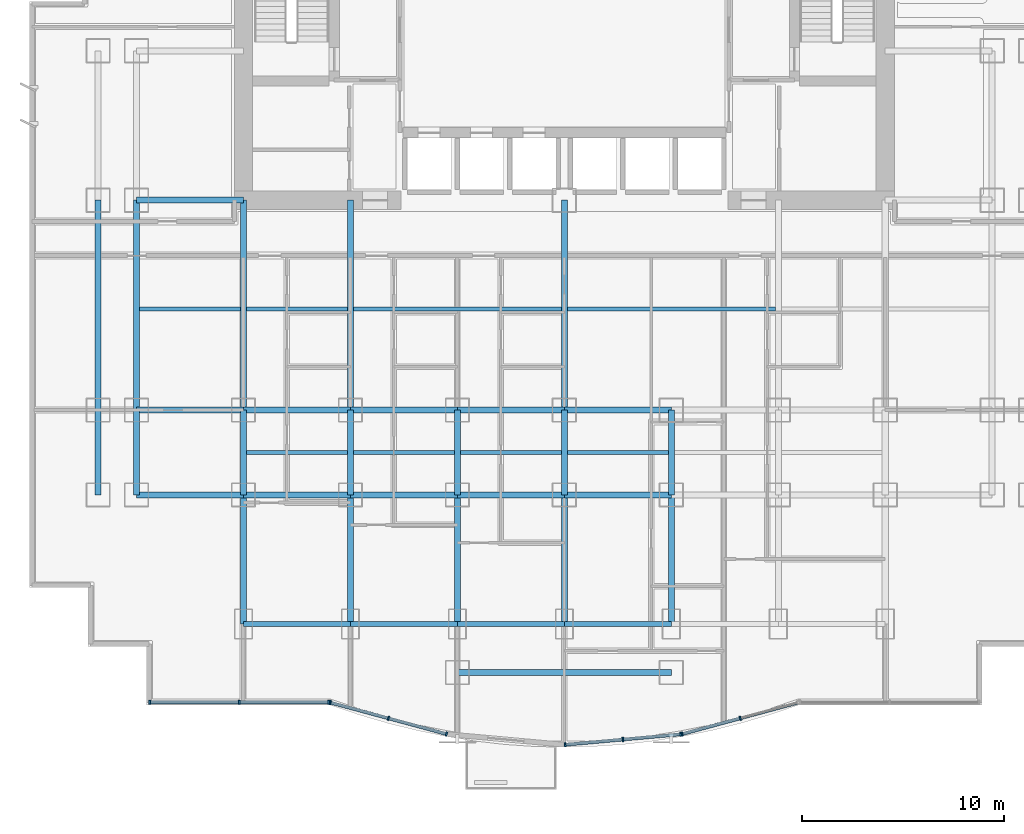
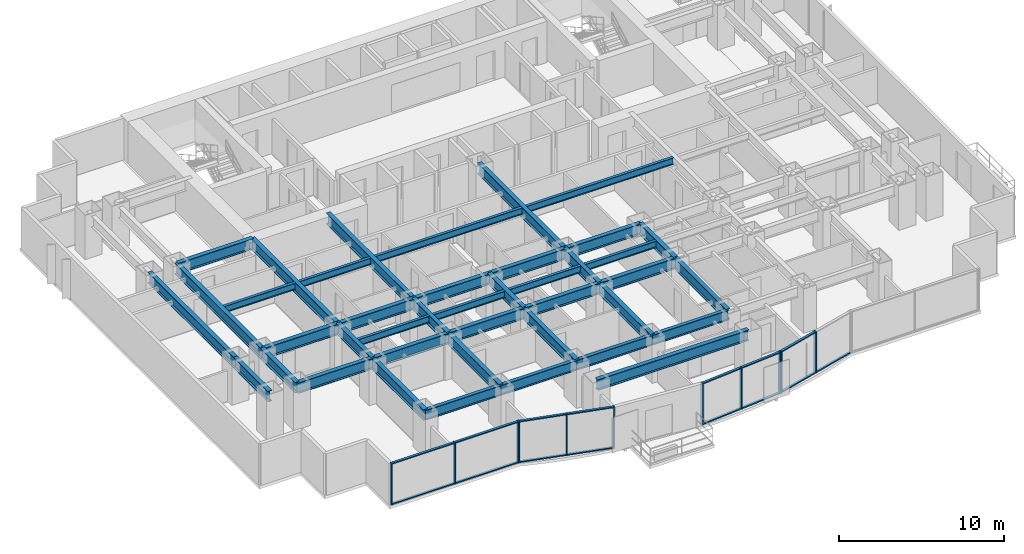
# One storey, part 2 of 10: 41 beams, 26 members, 4 elements without a shape of their own.
"""IFC4 building model written with IfcOpenShell, lengths in metres."""

import ifcopenshell
import ifcopenshell.guid

model = None  # the IFC model being written
_history = None  # IfcOwnerHistory: only IFC2X3 demands one
_inside = {}  # id of a spatial element -> (the spatial element, [elements in it])
_under = {}  # id of a project, library or spatial element -> (it, [spatial elements below it])
_declared = {}  # id of a project -> (the project, [libraries it declares])
_typed = {}  # id of a type object -> (the type object, [elements of that type])
_made_of = {}  # id of a material, layer set ... -> (it, [elements and type objects made of it])


def new_model(schema):
    """Start an empty IFC model of exactly this schema.

    Asked for "IFC4X3", IfcOpenShell would pick the latest addendum, in which some entities
    have other attributes; the version numbers below select the first issue.
    IFC2X3 requires an IfcOwnerHistory on every rooted entity: one is made here for all.
    """
    global model, _history
    if schema == "IFC4X3":
        model = ifcopenshell.file(schema_version=(4, 3, 0, 0))
    else:
        model = ifcopenshell.file(schema=schema)
    _inside.clear()
    _under.clear()
    _declared.clear()
    _typed.clear()
    _made_of.clear()
    _history = None
    if model.schema == "IFC2X3":
        org = make("IfcOrganization", Name="unknown")
        user = make(
            "IfcPersonAndOrganization",
            ThePerson=make("IfcPerson", FamilyName="unknown"),
            TheOrganization=org,
        )
        app = make(
            "IfcApplication",
            ApplicationDeveloper=org,
            Version="unknown",
            ApplicationFullName="unknown",
            ApplicationIdentifier="unknown",
        )
        _history = make(
            "IfcOwnerHistory",
            OwningUser=user,
            OwningApplication=app,
            ChangeAction="ADDED",
            CreationDate=0,
        )
    return model


def make(cls, **values):
    """One entity of the class cls with the attributes given. An attribute that is None is left unset."""
    return model.create_entity(
        cls, **{name: value for name, value in values.items() if value is not None}
    )


def rooted(cls, **values):
    """An entity with a GlobalId (a new one), such as an element, a storey or a relation."""
    return make(cls, GlobalId=ifcopenshell.guid.new(), OwnerHistory=_history, **values)


def si_unit(unit_type, name, prefix=None):
    """IfcSIUnit, for example si_unit("LENGTHUNIT", "METRE", prefix="MILLI")."""
    return make("IfcSIUnit", UnitType=unit_type, Prefix=prefix, Name=name)


def assignment(units):
    """IfcUnitAssignment: the units of a project."""
    return None if units is None else make("IfcUnitAssignment", Units=units)


def point(xyz):
    """IfcCartesianPoint."""
    return None if xyz is None else make("IfcCartesianPoint", Coordinates=xyz)


def direction(xyz):
    """IfcDirection."""
    return None if xyz is None else make("IfcDirection", DirectionRatios=xyz)


def frame(location, z_axis=None, x_axis=None):
    """IfcAxis2Placement3D, a coordinate frame: its origin and axes. An axis left out is left unset."""
    return make(
        "IfcAxis2Placement3D",
        Location=point(location),
        Axis=direction(z_axis),
        RefDirection=direction(x_axis),
    )


def frame_2d(location, x_axis=None):
    """IfcAxis2Placement2D, a coordinate frame in the plane: its origin and x axis."""
    return make(
        "IfcAxis2Placement2D", Location=point(location), RefDirection=direction(x_axis)
    )


def origin():
    """The frame at (0, 0, 0) with its axes left unset."""
    return frame((0.0, 0.0, 0.0))


def origin_2d():
    """The frame at (0, 0) in the plane with its x axis left unset."""
    return frame_2d((0.0, 0.0))


def place(relative_to, where):
    """IfcLocalPlacement: puts the frame where relative to a parent placement (None: the world)."""
    return make(
        "IfcLocalPlacement", PlacementRelTo=relative_to, RelativePlacement=where
    )


def context(
    kind, dimensions, precision=None, world=None, true_north=None, identifier=None
):
    """IfcGeometricRepresentationContext, for example the 3D "Model" context."""
    return make(
        "IfcGeometricRepresentationContext",
        ContextIdentifier=identifier,
        ContextType=kind,
        CoordinateSpaceDimension=dimensions,
        Precision=precision,
        WorldCoordinateSystem=world,
        TrueNorth=true_north,
    )


def subcontext(parent, identifier, kind, view, scale=None):
    """IfcGeometricRepresentationSubContext, for example "Body" below "Model"."""
    return make(
        "IfcGeometricRepresentationSubContext",
        ContextIdentifier=identifier,
        ContextType=kind,
        ParentContext=parent,
        TargetScale=scale,
        TargetView=view,
    )


def project(units=None, contexts=None):
    """IfcProject with its units and contexts."""
    return rooted(
        "IfcProject",
        Name="project",
        RepresentationContexts=contexts,
        UnitsInContext=assignment(units),
    )


def spatial(cls, under=None, at=None, **own):
    """A site, building, storey or space (cls), placed at a placement, below another one or the project."""
    s = rooted(cls, ObjectPlacement=at, **own)
    if under is not None:
        _under.setdefault(under.id(), (under, []))[1].append(s)
    return s


def profile(cls, at=None, kind="AREA", **sizes):
    """A parametric profile (cls). Its sizes go by their IFC names, for example OverallWidth=200.0."""
    return make(cls, ProfileType=kind, Position=at, **sizes)


def rectangle(**sizes):
    """IfcRectangleProfileDef."""
    return profile("IfcRectangleProfileDef", **sizes)


def i_section(**sizes):
    """IfcIShapeProfileDef."""
    return profile("IfcIShapeProfileDef", **sizes)


def extrude(swept, where, along, depth):
    """IfcExtrudedAreaSolid: the profile swept, set in the frame where, extruded along a direction by depth."""
    return make(
        "IfcExtrudedAreaSolid",
        SweptArea=swept,
        Position=where,
        ExtrudedDirection=direction(along),
        Depth=depth,
    )


def shape(context_of_items, identifier, shape_type, items):
    """IfcShapeRepresentation: the items that make up one representation, for example the "Body"."""
    return make(
        "IfcShapeRepresentation",
        ContextOfItems=context_of_items,
        RepresentationIdentifier=identifier,
        RepresentationType=shape_type,
        Items=items,
    )


def source(mapping_origin, context_of_items, identifier, shape_type, items):
    """IfcRepresentationMap: a shape defined once, which mapped items show again and again."""
    return make(
        "IfcRepresentationMap",
        MappingOrigin=mapping_origin,
        MappedRepresentation=shape(context_of_items, identifier, shape_type, items),
    )


def transform(
    local_origin,
    x_axis=None,
    y_axis=None,
    z_axis=None,
    scale=None,
    scale2=None,
    scale3=None,
    uniform=True,
):
    """IfcCartesianTransformationOperator3D, or its non-uniform kind. x_axis, y_axis, z_axis: its Axis1, 2, 3."""
    if uniform:
        return make(
            "IfcCartesianTransformationOperator3D",
            Axis1=direction(x_axis),
            Axis2=direction(y_axis),
            LocalOrigin=point(local_origin),
            Scale=scale,
            Axis3=direction(z_axis),
        )
    return make(
        "IfcCartesianTransformationOperator3DnonUniform",
        Axis1=direction(x_axis),
        Axis2=direction(y_axis),
        LocalOrigin=point(local_origin),
        Scale=scale,
        Axis3=direction(z_axis),
        Scale2=scale2,
        Scale3=scale3,
    )


def mapped(mapping_source, mapping_target):
    """IfcMappedItem: shows the shape of a source again, moved by a transform."""
    return make(
        "IfcMappedItem", MappingSource=mapping_source, MappingTarget=mapping_target
    )


def material(Name=None, Category=None):
    """IfcMaterial."""
    return make("IfcMaterial", Name=Name, Category=Category)


def layer(
    of_material, thickness, ventilated=None, Name=None, Category=None, Priority=None
):
    """IfcMaterialLayer: one layer of a wall or slab, of a material (None: an air gap)."""
    return make(
        "IfcMaterialLayer",
        Material=of_material,
        LayerThickness=thickness,
        IsVentilated=ventilated,
        Name=Name,
        Category=Category,
        Priority=Priority,
    )


def layer_set(layers, Name=None):
    """IfcMaterialLayerSet."""
    return make("IfcMaterialLayerSet", MaterialLayers=layers, LayerSetName=Name)


def material_profile(
    of_material, cross_section, Name=None, Category=None, Priority=None
):
    """IfcMaterialProfile: a cross section and its material."""
    return make(
        "IfcMaterialProfile",
        Name=Name,
        Material=of_material,
        Profile=cross_section,
        Priority=Priority,
        Category=Category,
    )


def profile_set(profiles, Name=None, composite=None):
    """IfcMaterialProfileSet."""
    return make(
        "IfcMaterialProfileSet",
        Name=Name,
        MaterialProfiles=profiles,
        CompositeProfile=composite,
    )


def made_of(thing, what):
    """Note that an element or type object is made of a material, layer set ...; save() writes the relation."""
    if what is not None:
        _made_of.setdefault(what.id(), (what, []))[1].append(thing)
    return thing


def type_object(cls, material=None, **own):
    """A type object (cls), such as IfcWallType, which elements share."""
    return made_of(rooted(cls, **own), material)


def element(
    cls,
    number,
    at=None,
    inside=None,
    cuts=None,
    type_object=None,
    material=None,
    context=None,
    identifier="Body",
    shape_type=None,
    held_by="IfcProductDefinitionShape",
    body=None,
    shapes=None,
    **own,
):
    """One element of the class cls, such as IfcWall. Its Tag is "e" and its number.

    at: its placement. inside: the storey or other place that contains it. cuts: it is an
    opening in that element (IfcRelVoidsElement). A single representation is given by context,
    identifier, shape_type and body (its items); several are given by shapes. held_by: the class
    of the entity that holds the representations. save() writes the other relations.
    """
    e = rooted(cls, Tag="e%d" % number, ObjectPlacement=at, **own)
    if body is not None:
        shapes = [shape(context, identifier, shape_type, body)]
    if shapes is not None:
        e.Representation = make(held_by, Representations=shapes)
    if inside is not None:
        _inside.setdefault(inside.id(), (inside, []))[1].append(e)
    if cuts is not None:
        rooted(
            "IfcRelVoidsElement", RelatingBuildingElement=cuts, RelatedOpeningElement=e
        )
    if type_object is not None:
        _typed.setdefault(type_object.id(), (type_object, []))[1].append(e)
    return made_of(e, material)


def aggregate(whole, parts):
    """IfcRelAggregates: a whole, such as a stair, and the parts it consists of."""
    return rooted("IfcRelAggregates", RelatingObject=whole, RelatedObjects=parts)


def save(model, path):
    """Write the relations noted so far, then the file.

    IfcRelAggregates (storeys below a building ...), IfcRelContainedInSpatialStructure (elements
    in a storey), IfcRelDefinesByType, IfcRelAssociatesMaterial and IfcRelDeclares: one each for
    every whole, place, type object, material and project.
    """
    for whole, parts in _under.values():
        aggregate(whole, parts)
    for where, things in _inside.values():
        rooted(
            "IfcRelContainedInSpatialStructure",
            RelatedElements=things,
            RelatingStructure=where,
        )
    for kind, things in _typed.values():
        rooted("IfcRelDefinesByType", RelatedObjects=things, RelatingType=kind)
    for what, things in _made_of.values():
        rooted("IfcRelAssociatesMaterial", RelatedObjects=things, RelatingMaterial=what)
    for by, libraries in _declared.values():
        rooted("IfcRelDeclares", RelatingContext=by, RelatedDefinitions=libraries)
    model.write(path)


model = new_model("IFC4")

# Units and contexts
model_context = context("Model", 3, precision=1e-05, world=origin(), true_north=direction((0.0, 1.0)))
body_context = subcontext(model_context, "Body", "Model", "MODEL_VIEW")
ifc_project = project(units=[si_unit("LENGTHUNIT", "METRE"), si_unit("AREAUNIT", "SQUARE_METRE"), si_unit("VOLUMEUNIT", "CUBIC_METRE"), si_unit("PLANEANGLEUNIT", "RADIAN"), si_unit("MASSUNIT", "GRAM", prefix="KILO")], contexts=[model_context])

# Site, building, storey
site_placement = place(None, origin())
site = spatial("IfcSite", under=ifc_project, at=site_placement, CompositionType="ELEMENT")
building_placement = place(site_placement, origin())
building = spatial("IfcBuilding", under=site, at=building_placement, Name="Qianlan Lanfeng Residences", CompositionType="ELEMENT")
storey_placement = place(building_placement, frame((0.0, 0.0, 34.10009765625)))
storey = spatial("IfcBuildingStorey", under=building, at=storey_placement, Name="L08", CompositionType="ELEMENT", Elevation=34.10009765625)

# Beams
ifc_material_1 = material(Name="Steel SN490B", Category="steel")
ifc_material_profile_1 = material_profile(ifc_material_1, i_section(OverallWidth=0.300048828125, OverallDepth=0.800048828125, WebThickness=0.01611328125, FlangeThickness=0.028076171875, at=origin_2d()), Name="H 800x300x16x28")
ifc_profile_set_1 = profile_set([ifc_material_profile_1], Name="Steel SN490B")
beam_type_1 = type_object("IfcBeamType", Name="G-950", PredefinedType="BEAM", material=ifc_profile_set_1)
beam_1_placement = place(storey_placement, frame((21.199951171875, 1.800048828125, 2.679931640625), z_axis=(1.0, 0.0, 0.0), x_axis=(0.0, 1.0, 0.0)))
element("IfcBeam", 1, at=beam_1_placement, inside=storey, type_object=beam_type_1, Name="Structural beam G-950", PredefinedType="BEAM", context=body_context, shape_type="SweptSolid", body=[
    extrude(i_section(OverallWidth=0.300048828125, OverallDepth=0.800048828125, WebThickness=0.01611328125, FlangeThickness=0.028076171875, at=origin_2d()), origin(), (0.0, 0.0, 1.0), 10.60009765625),
])
beam_2_placement = place(storey_placement, frame((5.300048828125, 10.60009765625, 2.679931640625), z_axis=(1.0, 0.0, 0.0), x_axis=(0.0, 1.0, 0.0)))
element("IfcBeam", 2, at=beam_2_placement, inside=storey, type_object=beam_type_1, Name="Structural beam G-950", PredefinedType="BEAM", context=body_context, shape_type="SweptSolid", body=[
    extrude(i_section(OverallWidth=0.300048828125, OverallDepth=0.800048828125, WebThickness=0.01611328125, FlangeThickness=0.028076171875, at=origin_2d()), origin(), (0.0, 0.0, 1.0), 5.300048828125),
])
beam_3_placement = place(storey_placement, frame((10.60009765625, 10.60009765625, 2.679931640625), z_axis=(1.0, 0.0, 0.0), x_axis=(0.0, 1.0, 0.0)))
element("IfcBeam", 3, at=beam_3_placement, inside=storey, type_object=beam_type_1, Name="Structural beam G-950", PredefinedType="BEAM", context=body_context, shape_type="SweptSolid", body=[
    extrude(i_section(OverallWidth=0.300048828125, OverallDepth=0.800048828125, WebThickness=0.01611328125, FlangeThickness=0.028076171875, at=origin_2d()), origin(), (0.0, 0.0, 1.0), 5.2998046875),
])
for number, where, z_axis, x_axis, name in (
    (4, (15.89990234375, 10.60009765625, 2.679931640625), (1.0, 0.0, 0.0), (0.0, 1.0, 0.0), "Structural beam G-950"),
    (5, (21.199951171875, 10.60009765625, 2.679931640625), (1.0, 0.0, 0.0), (0.0, 1.0, 0.0), "Structural beam G-950"),
    (6, (26.5, 10.60009765625, 2.679931640625), (1.0, 0.0, 0.0), (0.0, 1.0, 0.0), "Structural beam G-950"),
    (7, (5.300048828125, 14.800048828125, 2.679931640625), (1.0, 0.0, 0.0), (0.0, 1.0, 0.0), "Structural beam G-950"),
):
    element("IfcBeam", number, at=place(storey_placement, frame(where, z_axis=z_axis, x_axis=x_axis)), inside=storey, type_object=beam_type_1, Name=name, PredefinedType="BEAM", context=body_context, shape_type="SweptSolid", body=[
        extrude(i_section(OverallWidth=0.300048828125, OverallDepth=0.800048828125, WebThickness=0.01611328125, FlangeThickness=0.028076171875, at=origin_2d()), origin(), (0.0, 0.0, 1.0), 5.300048828125),
    ])
beam_4_placement = place(storey_placement, frame((10.60009765625, 14.800048828125, 2.679931640625), z_axis=(1.0, 0.0, 0.0), x_axis=(0.0, 1.0, 0.0)))
element("IfcBeam", 8, at=beam_4_placement, inside=storey, type_object=beam_type_1, Name="Structural beam G-950", PredefinedType="BEAM", context=body_context, shape_type="SweptSolid", body=[
    extrude(i_section(OverallWidth=0.300048828125, OverallDepth=0.800048828125, WebThickness=0.01611328125, FlangeThickness=0.028076171875, at=origin_2d()), origin(), (0.0, 0.0, 1.0), 5.2998046875),
])
for number, where, z_axis, x_axis, name in (
    (9, (15.89990234375, 14.800048828125, 2.679931640625), (1.0, 0.0, 0.0), (0.0, 1.0, 0.0), "Structural beam G-950"),
    (10, (21.199951171875, 14.800048828125, 2.679931640625), (1.0, 0.0, 0.0), (0.0, 1.0, 0.0), "Structural beam G-950"),
    (11, (26.5, 14.800048828125, 2.679931640625), (1.0, 0.0, 0.0), (0.0, 1.0, 0.0), "Structural beam G-950"),
    (12, (5.300048828125, 25.199951171875, 2.679931640625), (1.0, 0.0, 0.0), (0.0, 1.0, 0.0), "Structural beam G-950"),
):
    element("IfcBeam", number, at=place(storey_placement, frame(where, z_axis=z_axis, x_axis=x_axis)), inside=storey, type_object=beam_type_1, Name=name, PredefinedType="BEAM", context=body_context, shape_type="SweptSolid", body=[
        extrude(i_section(OverallWidth=0.300048828125, OverallDepth=0.800048828125, WebThickness=0.01611328125, FlangeThickness=0.028076171875, at=origin_2d()), origin(), (0.0, 0.0, 1.0), 5.300048828125),
    ])
beam_5_placement = place(storey_placement, frame((3.39990234375, 10.60009765625, 2.679931640625), z_axis=(0.0, 1.0, 0.0), x_axis=(-1.0, 0.0, 0.0)))
element("IfcBeam", 13, at=beam_5_placement, inside=storey, type_object=beam_type_1, Name="Structural beam G-950", PredefinedType="BEAM", context=body_context, shape_type="SweptSolid", body=[
    extrude(i_section(OverallWidth=0.300048828125, OverallDepth=0.800048828125, WebThickness=0.01611328125, FlangeThickness=0.028076171875, at=origin_2d()), origin(), (0.0, 0.0, 1.0), 4.199951171875),
])
beam_6_placement = place(storey_placement, frame((3.39990234375, 14.800048828125, 2.679931640625), z_axis=(0.0, 1.0, 0.0), x_axis=(-1.0, 0.0, 0.0)))
element("IfcBeam", 14, at=beam_6_placement, inside=storey, type_object=beam_type_1, Name="Structural beam G-950", PredefinedType="BEAM", context=body_context, shape_type="SweptSolid", body=[
    extrude(i_section(OverallWidth=0.300048828125, OverallDepth=0.800048828125, WebThickness=0.01611328125, FlangeThickness=0.028076171875, at=origin_2d()), origin(), (0.0, 0.0, 1.0), 10.39990234375),
])
beam_7_placement = place(storey_placement, frame((5.300048828125, 10.60009765625, 2.679931640625), z_axis=(0.0, 1.0, 0.0), x_axis=(-1.0, 0.0, 0.0)))
element("IfcBeam", 15, at=beam_7_placement, inside=storey, type_object=beam_type_1, Name="Structural beam G-950", PredefinedType="BEAM", context=body_context, shape_type="SweptSolid", body=[
    extrude(i_section(OverallWidth=0.300048828125, OverallDepth=0.800048828125, WebThickness=0.01611328125, FlangeThickness=0.028076171875, at=origin_2d()), origin(), (0.0, 0.0, 1.0), 4.199951171875),
])
beam_8_placement = place(storey_placement, frame((5.300048828125, 14.800048828125, 2.679931640625), z_axis=(0.0, 1.0, 0.0), x_axis=(-1.0, 0.0, 0.0)))
element("IfcBeam", 16, at=beam_8_placement, inside=storey, type_object=beam_type_1, Name="Structural beam G-950", PredefinedType="BEAM", context=body_context, shape_type="SweptSolid", body=[
    extrude(i_section(OverallWidth=0.300048828125, OverallDepth=0.800048828125, WebThickness=0.01611328125, FlangeThickness=0.028076171875, at=origin_2d()), origin(), (0.0, 0.0, 1.0), 10.39990234375),
])
beam_9_placement = place(storey_placement, frame((10.60009765625, 4.199951171875, 2.679931640625), z_axis=(0.0, 1.0, 0.0), x_axis=(-1.0, 0.0, 0.0)))
element("IfcBeam", 17, at=beam_9_placement, inside=storey, type_object=beam_type_1, Name="Structural beam G-950", PredefinedType="BEAM", context=body_context, shape_type="SweptSolid", body=[
    extrude(i_section(OverallWidth=0.300048828125, OverallDepth=0.800048828125, WebThickness=0.01611328125, FlangeThickness=0.028076171875, at=origin_2d()), origin(), (0.0, 0.0, 1.0), 6.400146484375),
])
beam_10_placement = place(storey_placement, frame((10.60009765625, 10.60009765625, 2.679931640625), z_axis=(0.0, 1.0, 0.0), x_axis=(-1.0, 0.0, 0.0)))
element("IfcBeam", 18, at=beam_10_placement, inside=storey, type_object=beam_type_1, Name="Structural beam G-950", PredefinedType="BEAM", context=body_context, shape_type="SweptSolid", body=[
    extrude(i_section(OverallWidth=0.300048828125, OverallDepth=0.800048828125, WebThickness=0.01611328125, FlangeThickness=0.028076171875, at=origin_2d()), origin(), (0.0, 0.0, 1.0), 4.199951171875),
])
beam_11_placement = place(storey_placement, frame((10.60009765625, 14.800048828125, 2.679931640625), z_axis=(0.0, 1.0, 0.0), x_axis=(-1.0, 0.0, 0.0)))
element("IfcBeam", 19, at=beam_11_placement, inside=storey, type_object=beam_type_1, Name="Structural beam G-950", PredefinedType="BEAM", context=body_context, shape_type="SweptSolid", body=[
    extrude(i_section(OverallWidth=0.300048828125, OverallDepth=0.800048828125, WebThickness=0.01611328125, FlangeThickness=0.028076171875, at=origin_2d()), origin(), (0.0, 0.0, 1.0), 10.39990234375),
])
beam_12_placement = place(storey_placement, frame((15.89990234375, 4.199951171875, 2.679931640625), z_axis=(0.0, 1.0, 0.0), x_axis=(-1.0, 0.0, 0.0)))
element("IfcBeam", 20, at=beam_12_placement, inside=storey, type_object=beam_type_1, Name="Structural beam G-950", PredefinedType="BEAM", context=body_context, shape_type="SweptSolid", body=[
    extrude(i_section(OverallWidth=0.300048828125, OverallDepth=0.800048828125, WebThickness=0.01611328125, FlangeThickness=0.028076171875, at=origin_2d()), origin(), (0.0, 0.0, 1.0), 6.400146484375),
])
beam_13_placement = place(storey_placement, frame((15.89990234375, 10.60009765625, 2.679931640625), z_axis=(0.0, 1.0, 0.0), x_axis=(-1.0, 0.0, 0.0)))
element("IfcBeam", 21, at=beam_13_placement, inside=storey, type_object=beam_type_1, Name="Structural beam G-950", PredefinedType="BEAM", context=body_context, shape_type="SweptSolid", body=[
    extrude(i_section(OverallWidth=0.300048828125, OverallDepth=0.800048828125, WebThickness=0.01611328125, FlangeThickness=0.028076171875, at=origin_2d()), origin(), (0.0, 0.0, 1.0), 4.199951171875),
])
beam_14_placement = place(storey_placement, frame((15.89990234375, 14.800048828125, 2.679931640625), z_axis=(0.0, 1.0, 0.0), x_axis=(-1.0, 0.0, 0.0)))
element("IfcBeam", 22, at=beam_14_placement, inside=storey, type_object=beam_type_1, Name="Structural beam G-950", PredefinedType="BEAM", context=body_context, shape_type="SweptSolid", body=[
    extrude(i_section(OverallWidth=0.300048828125, OverallDepth=0.800048828125, WebThickness=0.01611328125, FlangeThickness=0.028076171875, at=origin_2d()), origin(), (0.0, 0.0, 1.0), 10.39990234375),
])
beam_15_placement = place(storey_placement, frame((21.199951171875, 4.199951171875, 2.679931640625), z_axis=(0.0, 1.0, 0.0), x_axis=(-1.0, 0.0, 0.0)))
element("IfcBeam", 23, at=beam_15_placement, inside=storey, type_object=beam_type_1, Name="Structural beam G-950", PredefinedType="BEAM", context=body_context, shape_type="SweptSolid", body=[
    extrude(i_section(OverallWidth=0.300048828125, OverallDepth=0.800048828125, WebThickness=0.01611328125, FlangeThickness=0.028076171875, at=origin_2d()), origin(), (0.0, 0.0, 1.0), 6.400146484375),
])
beam_16_placement = place(storey_placement, frame((21.199951171875, 10.60009765625, 2.679931640625), z_axis=(0.0, 1.0, 0.0), x_axis=(-1.0, 0.0, 0.0)))
element("IfcBeam", 24, at=beam_16_placement, inside=storey, type_object=beam_type_1, Name="Structural beam G-950", PredefinedType="BEAM", context=body_context, shape_type="SweptSolid", body=[
    extrude(i_section(OverallWidth=0.300048828125, OverallDepth=0.800048828125, WebThickness=0.01611328125, FlangeThickness=0.028076171875, at=origin_2d()), origin(), (0.0, 0.0, 1.0), 4.199951171875),
])
beam_17_placement = place(storey_placement, frame((26.5, 4.199951171875, 2.679931640625), z_axis=(0.0, 1.0, 0.0), x_axis=(-1.0, 0.0, 0.0)))
element("IfcBeam", 25, at=beam_17_placement, inside=storey, type_object=beam_type_1, Name="Structural beam G-950", PredefinedType="BEAM", context=body_context, shape_type="SweptSolid", body=[
    extrude(i_section(OverallWidth=0.300048828125, OverallDepth=0.800048828125, WebThickness=0.01611328125, FlangeThickness=0.028076171875, at=origin_2d()), origin(), (0.0, 0.0, 1.0), 6.400146484375),
])
beam_18_placement = place(storey_placement, frame((26.5, 10.60009765625, 2.679931640625), z_axis=(0.0, 1.0, 0.0), x_axis=(-1.0, 0.0, 0.0)))
element("IfcBeam", 26, at=beam_18_placement, inside=storey, type_object=beam_type_1, Name="Structural beam G-950", PredefinedType="BEAM", context=body_context, shape_type="SweptSolid", body=[
    extrude(i_section(OverallWidth=0.300048828125, OverallDepth=0.800048828125, WebThickness=0.01611328125, FlangeThickness=0.028076171875, at=origin_2d()), origin(), (0.0, 0.0, 1.0), 4.199951171875),
])
beam_19_placement = place(storey_placement, frame((26.5, 14.800048828125, 2.679931640625), z_axis=(0.0, 1.0, 0.0), x_axis=(-1.0, 0.0, 0.0)))
element("IfcBeam", 27, at=beam_19_placement, inside=storey, type_object=beam_type_1, Name="Structural beam G-950", PredefinedType="BEAM", context=body_context, shape_type="SweptSolid", body=[
    extrude(i_section(OverallWidth=0.300048828125, OverallDepth=0.800048828125, WebThickness=0.01611328125, FlangeThickness=0.028076171875, at=origin_2d()), origin(), (0.0, 0.0, 1.0), 10.39990234375),
])
beam_20_placement = place(storey_placement, frame((31.800048828125, 4.199951171875, 2.679931640625), z_axis=(0.0, 1.0, 0.0), x_axis=(-1.0, 0.0, 0.0)))
element("IfcBeam", 28, at=beam_20_placement, inside=storey, type_object=beam_type_1, Name="Structural beam G-950", PredefinedType="BEAM", context=body_context, shape_type="SweptSolid", body=[
    extrude(i_section(OverallWidth=0.300048828125, OverallDepth=0.800048828125, WebThickness=0.01611328125, FlangeThickness=0.028076171875, at=origin_2d()), origin(), (0.0, 0.0, 1.0), 6.400146484375),
])
beam_21_placement = place(storey_placement, frame((31.800048828125, 10.60009765625, 2.679931640625), z_axis=(0.0, 1.0, 0.0), x_axis=(-1.0, 0.0, 0.0)))
element("IfcBeam", 29, at=beam_21_placement, inside=storey, type_object=beam_type_1, Name="Structural beam G-950", PredefinedType="BEAM", context=body_context, shape_type="SweptSolid", body=[
    extrude(i_section(OverallWidth=0.300048828125, OverallDepth=0.800048828125, WebThickness=0.01611328125, FlangeThickness=0.028076171875, at=origin_2d()), origin(), (0.0, 0.0, 1.0), 4.199951171875),
])
ifc_material_profile_2 = material_profile(ifc_material_1, i_section(OverallWidth=0.199951171875, OverallDepth=0.5, WebThickness=0.010009765625, FlangeThickness=0.01611328125, at=origin_2d()), Name="H 500x200x10x16")
ifc_profile_set_2 = profile_set([ifc_material_profile_2], Name="Steel SN490B")
beam_type_2 = type_object("IfcBeamType", Name="J-500", PredefinedType="JOIST", material=ifc_profile_set_2)
for number, where, z_axis, x_axis, name in (
    (30, (10.75, 12.699951171875, 2.829833984375), (1.0, 0.0, 0.0), (0.0, 1.0, 0.0), "Structural beam J-500"),
    (31, (16.050048828125, 12.699951171875, 2.829833984375), (1.0, 0.0, 0.0), (0.0, 1.0, 0.0), "Structural beam J-500"),
    (32, (21.35009765625, 12.699951171875, 2.829833984375), (1.0, 0.0, 0.0), (0.0, 1.0, 0.0), "Structural beam J-500"),
    (33, (26.64990234375, 12.699951171875, 2.829833984375), (1.0, 0.0, 0.0), (0.0, 1.0, 0.0), "Structural beam J-500"),
    (34, (5.449951171875, 19.800048828125, 2.829833984375), (1.0, 0.0, 0.0), (0.0, 1.0, 0.0), "Structural beam J-500"),
    (35, (10.75, 19.800048828125, 2.829833984375), (1.0, 0.0, 0.0), (0.0, 1.0, 0.0), "Structural beam J-500"),
):
    element("IfcBeam", number, at=place(storey_placement, frame(where, z_axis=z_axis, x_axis=x_axis)), inside=storey, type_object=beam_type_2, Name=name, PredefinedType="JOIST", context=body_context, shape_type="SweptSolid", body=[
        extrude(i_section(OverallWidth=0.199951171875, OverallDepth=0.5, WebThickness=0.010009765625, FlangeThickness=0.01611328125, at=origin_2d()), origin(), (0.0, 0.0, 1.0), 5.0),
    ])
for number, where, z_axis, x_axis, name in (
    (36, (16.050048828125, 19.800048828125, 2.829833984375), (1.0, 0.0, 0.0), (0.0, 1.0, 0.0), "Structural beam J-500"),
    (37, (26.64990234375, 19.800048828125, 2.829833984375), (1.0, 0.0, 0.0), (0.0, 1.0, 0.0), "Structural beam J-500"),
):
    element("IfcBeam", number, at=place(storey_placement, frame(where, z_axis=z_axis, x_axis=x_axis)), inside=storey, type_object=beam_type_2, Name=name, PredefinedType="JOIST", context=body_context, shape_type="SweptSolid", body=[
        extrude(i_section(OverallWidth=0.199951171875, OverallDepth=0.5, WebThickness=0.010009765625, FlangeThickness=0.01611328125, at=origin_2d()), origin(), (0.0, 0.0, 1.0), 10.300048828125),
    ])
ifc_material_profile_3 = material_profile(ifc_material_1, i_section(OverallWidth=0.25, OverallDepth=0.75, WebThickness=0.013916015625, FlangeThickness=0.02490234375, at=origin_2d()), Name="H 750x250x14x25")
ifc_profile_set_3 = profile_set([ifc_material_profile_3], Name="Steel SN490B")
beam_type_3 = type_object("IfcBeamType", Name="SG-850", PredefinedType="SPANDREL", material=ifc_profile_set_3)
beam_22_placement = place(storey_placement, frame((10.60009765625, 4.199951171875, 2.704833984375), z_axis=(1.0, 0.0, 0.0), x_axis=(0.0, 1.0, 0.0)))
element("IfcBeam", 38, at=beam_22_placement, inside=storey, type_object=beam_type_3, Name="Structural beam SG-850", PredefinedType="SPANDREL", context=body_context, shape_type="SweptSolid", body=[
    extrude(i_section(OverallWidth=0.25, OverallDepth=0.75, WebThickness=0.013916015625, FlangeThickness=0.02490234375, at=origin_2d()), origin(), (0.0, 0.0, 1.0), 5.2998046875),
])
for number, where, z_axis, x_axis, name in (
    (39, (15.89990234375, 4.199951171875, 2.704833984375), (1.0, 0.0, 0.0), (0.0, 1.0, 0.0), "Structural beam SG-850"),
    (40, (21.199951171875, 4.199951171875, 2.704833984375), (1.0, 0.0, 0.0), (0.0, 1.0, 0.0), "Structural beam SG-850"),
    (41, (26.5, 4.199951171875, 2.704833984375), (1.0, 0.0, 0.0), (0.0, 1.0, 0.0), "Structural beam SG-850"),
):
    element("IfcBeam", number, at=place(storey_placement, frame(where, z_axis=z_axis, x_axis=x_axis)), inside=storey, type_object=beam_type_3, Name=name, PredefinedType="SPANDREL", context=body_context, shape_type="SweptSolid", body=[
        extrude(i_section(OverallWidth=0.25, OverallDepth=0.75, WebThickness=0.013916015625, FlangeThickness=0.02490234375, at=origin_2d()), origin(), (0.0, 0.0, 1.0), 5.300048828125),
    ])

# Curtain wall, members
ifc_material_2 = material(Name="Anodised Bronze Aluminium 6063-T6", Category="aluminium")
ifc_layer = layer(ifc_material_2, 0.219970703125)
ifc_layer_set = layer_set([ifc_layer], Name="Anodised Bronze Aluminium 6063-T6")
curtain_wall_type = type_object("IfcCurtainWallType", Name="CW-02", PredefinedType="NOTDEFINED", material=ifc_layer_set)
curtain_wall_1_placement = place(storey_placement, origin())
curtain_wall_1 = element("IfcCurtainWall", 42, at=curtain_wall_1_placement, inside=storey, type_object=curtain_wall_type, Name="L08 Unitised Curtain Wall CWR-L08-02 (CW-02)", PredefinedType="NOTDEFINED")
ifc_material_profile_4 = material_profile(ifc_material_2, rectangle(XDim=0.080078125, YDim=0.159912109375, at=origin_2d()), Name="ALU TRANSOM 80x160")
ifc_profile_set_4 = profile_set([ifc_material_profile_4], Name="Anodised Bronze Aluminium 6063-T6")
member_type_1 = type_object("IfcMemberType", Name="CWT-180", PredefinedType="USERDEFINED", material=ifc_profile_set_4)
shared_shape_1 = source(origin(), body_context, "Body", "SweptSolid", [
    extrude(rectangle(XDim=0.080078125, YDim=0.159912109375, at=origin_2d()), origin(), (0.0, 0.0, 1.0), 2.897705078125),
])
member_1_placement = place(storey_placement, frame((14.947265625, 0.299072265625, 0.039794921875), z_axis=(0.965267548724, -0.261263390817, 0.0), x_axis=(0.0, 0.0, 1.0)))
member_1 = element("IfcMember", 43, at=member_1_placement, type_object=member_type_1, Name="CWR-L08-02 Transom 1-BOT", ObjectType="TRANSOM", PredefinedType="USERDEFINED", context=body_context, shape_type="MappedRepresentation", body=[
    mapped(shared_shape_1, transform((0.0, 0.0, 0.0), scale=1.0)),
])
member_2_placement = place(storey_placement, frame((14.947265625, 0.299072265625, 3.039794921875), z_axis=(0.965267548724, -0.261263390817, 0.0), x_axis=(0.0, 0.0, 1.0)))
member_2 = element("IfcMember", 44, at=member_2_placement, type_object=member_type_1, Name="CWR-L08-02 Transom 1-TOP", ObjectType="TRANSOM", PredefinedType="USERDEFINED", context=body_context, shape_type="MappedRepresentation", body=[
    mapped(shared_shape_1, transform((0.0, 0.0, 0.0), scale=1.0)),
])

# Curtain wall, member
curtain_wall_2_placement = place(storey_placement, origin())
curtain_wall_2 = element("IfcCurtainWall", 45, at=curtain_wall_2_placement, inside=storey, type_object=curtain_wall_type, Name="L08 Unitised Curtain Wall CWR-L08-04 (CW-02)", PredefinedType="NOTDEFINED")
member_3_placement = place(storey_placement, frame((35.255615234375, -0.4580078125, 0.039794921875), z_axis=(0.965267548724, 0.261263390817, 0.0), x_axis=(0.0, 0.0, 1.0)))
member_3 = element("IfcMember", 46, at=member_3_placement, type_object=member_type_1, Name="CWR-L08-04 Transom 2-BOT", ObjectType="TRANSOM", PredefinedType="USERDEFINED", context=body_context, shape_type="MappedRepresentation", body=[
    mapped(shared_shape_1, transform((0.0, 0.0, 0.0), scale=1.0)),
])

# Member
shared_shape_2 = source(origin(), body_context, "Body", "SweptSolid", [
    extrude(rectangle(XDim=0.080078125, YDim=0.159912109375, at=origin_2d()), origin(), (0.0, 0.0, 1.0), 2.89794921875),
])
member_4_placement = place(storey_placement, frame((17.821533203125, -0.47900390625, 0.039794921875), z_axis=(0.965273298897, -0.261242145215, 0.0), x_axis=(0.0, 0.0, 1.0)))
member_4 = element("IfcMember", 47, at=member_4_placement, type_object=member_type_1, Name="CWR-L08-02 Transom 2-BOT", ObjectType="TRANSOM", PredefinedType="USERDEFINED", context=body_context, shape_type="MappedRepresentation", body=[
    mapped(shared_shape_2, transform((0.0, 0.0, 0.0), scale=1.0)),
])

member_5_placement = place(storey_placement, frame((17.821533203125, -0.47900390625, 3.039794921875), z_axis=(0.965273298897, -0.261242145215, 0.0), x_axis=(0.0, 0.0, 1.0)))
member_5 = element("IfcMember", 48, at=member_5_placement, type_object=member_type_1, Name="CWR-L08-02 Transom 2-TOP", ObjectType="TRANSOM", PredefinedType="USERDEFINED", context=body_context, shape_type="MappedRepresentation", body=[
    mapped(shared_shape_2, transform((0.0, 0.0, 0.0), scale=1.0)),
])

member_6_placement = place(storey_placement, frame((32.381103515625, -1.236083984375, 0.039794921875), z_axis=(0.965273298897, 0.261242145215, 0.0), x_axis=(0.0, 0.0, 1.0)))
member_6 = element("IfcMember", 49, at=member_6_placement, type_object=member_type_1, Name="CWR-L08-04 Transom 1-BOT", ObjectType="TRANSOM", PredefinedType="USERDEFINED", context=body_context, shape_type="MappedRepresentation", body=[
    mapped(shared_shape_2, transform((0.0, 0.0, 0.0), scale=1.0)),
])

member_7_placement = place(storey_placement, frame((32.381103515625, -1.236083984375, 3.039794921875), z_axis=(0.965273298897, 0.261242145215, 0.0), x_axis=(0.0, 0.0, 1.0)))
member_7 = element("IfcMember", 50, at=member_7_placement, type_object=member_type_1, Name="CWR-L08-04 Transom 1-TOP", ObjectType="TRANSOM", PredefinedType="USERDEFINED", context=body_context, shape_type="MappedRepresentation", body=[
    mapped(shared_shape_2, transform((0.0, 0.0, 0.0), scale=1.0)),
])

# Curtain wall, members
curtain_wall_3_placement = place(storey_placement, origin())
curtain_wall_3 = element("IfcCurtainWall", 51, at=curtain_wall_3_placement, inside=storey, type_object=curtain_wall_type, Name="L08 Unitised Curtain Wall CWR-L08-03 (CW-02)", PredefinedType="NOTDEFINED")
shared_shape_3 = source(origin(), body_context, "Body", "SweptSolid", [
    extrude(rectangle(XDim=0.080078125, YDim=0.159912109375, at=origin_2d()), origin(), (0.0, 0.0, 1.0), 2.793701171875),
])
member_8_placement = place(storey_placement, frame((29.44189453125, -1.514892578125, 0.039794921875), z_axis=(0.995964524532, 0.089747790357, 0.0), x_axis=(0.0, 0.0, 1.0)))
member_8 = element("IfcMember", 52, at=member_8_placement, type_object=member_type_1, Name="CWR-L08-03 Transom 2-BOT", ObjectType="TRANSOM", PredefinedType="USERDEFINED", context=body_context, shape_type="MappedRepresentation", body=[
    mapped(shared_shape_3, transform((0.0, 0.0, 0.0), scale=1.0)),
])
member_9_placement = place(storey_placement, frame((29.44189453125, -1.514892578125, 3.039794921875), z_axis=(0.995964524532, 0.089747790357, 0.0), x_axis=(0.0, 0.0, 1.0)))
member_9 = element("IfcMember", 53, at=member_9_placement, type_object=member_type_1, Name="CWR-L08-03 Transom 2-TOP", ObjectType="TRANSOM", PredefinedType="USERDEFINED", context=body_context, shape_type="MappedRepresentation", body=[
    mapped(shared_shape_3, transform((0.0, 0.0, 0.0), scale=1.0)),
])
shared_shape_4 = source(origin(), body_context, "Body", "SweptSolid", [
    extrude(rectangle(XDim=0.080078125, YDim=0.159912109375, at=origin_2d()), origin(), (0.0, 0.0, 1.0), 2.7939453125),
])
member_10_placement = place(storey_placement, frame((26.57958984375, -1.772705078125, 0.039794921875), z_axis=(0.995973034517, 0.089653301756, 0.0), x_axis=(0.0, 0.0, 1.0)))
member_10 = element("IfcMember", 54, at=member_10_placement, type_object=member_type_1, Name="CWR-L08-03 Transom 1-BOT", ObjectType="TRANSOM", PredefinedType="USERDEFINED", context=body_context, shape_type="MappedRepresentation", body=[
    mapped(shared_shape_4, transform((0.0, 0.0, 0.0), scale=1.0)),
])
member_11_placement = place(storey_placement, frame((26.57958984375, -1.772705078125, 3.039794921875), z_axis=(0.995973034517, 0.089653301756, 0.0), x_axis=(0.0, 0.0, 1.0)))
member_11 = element("IfcMember", 55, at=member_11_placement, type_object=member_type_1, Name="CWR-L08-03 Transom 1-TOP", ObjectType="TRANSOM", PredefinedType="USERDEFINED", context=body_context, shape_type="MappedRepresentation", body=[
    mapped(shared_shape_4, transform((0.0, 0.0, 0.0), scale=1.0)),
])

curtain_wall_4_placement = place(storey_placement, origin())
curtain_wall_4 = element("IfcCurtainWall", 56, at=curtain_wall_4_placement, inside=storey, type_object=curtain_wall_type, Name="L08 Unitised Curtain Wall CWR-L08-01 (CW-02)", PredefinedType="NOTDEFINED")
shared_shape_5 = source(origin(), body_context, "Body", "SweptSolid", [
    extrude(rectangle(XDim=0.080078125, YDim=0.159912109375, at=origin_2d()), origin(), (0.0, 0.0, 1.0), 4.35498046875),
])
member_12_placement = place(storey_placement, frame((6.0, 0.320068359375, 0.039794921875), z_axis=(1.0, 0.0, 0.0), x_axis=(0.0, 0.0, 1.0)))
member_12 = element("IfcMember", 57, at=member_12_placement, type_object=member_type_1, Name="CWR-L08-01 Transom 1-BOT", ObjectType="TRANSOM", PredefinedType="USERDEFINED", context=body_context, shape_type="MappedRepresentation", body=[
    mapped(shared_shape_5, transform((0.0, 0.0, 0.0), scale=1.0)),
])
member_13_placement = place(storey_placement, frame((6.0, 0.320068359375, 3.039794921875), z_axis=(1.0, 0.0, 0.0), x_axis=(0.0, 0.0, 1.0)))
member_13 = element("IfcMember", 58, at=member_13_placement, type_object=member_type_1, Name="CWR-L08-01 Transom 1-TOP", ObjectType="TRANSOM", PredefinedType="USERDEFINED", context=body_context, shape_type="MappedRepresentation", body=[
    mapped(shared_shape_5, transform((0.0, 0.0, 0.0), scale=1.0)),
])
member_14_placement = place(storey_placement, frame((10.43505859375, 0.320068359375, 0.039794921875), z_axis=(1.0, 0.0, 0.0), x_axis=(0.0, 0.0, 1.0)))
member_14 = element("IfcMember", 59, at=member_14_placement, type_object=member_type_1, Name="CWR-L08-01 Transom 2-BOT", ObjectType="TRANSOM", PredefinedType="USERDEFINED", context=body_context, shape_type="MappedRepresentation", body=[
    mapped(shared_shape_5, transform((0.0, 0.0, 0.0), scale=1.0)),
])
member_15_placement = place(storey_placement, frame((10.43505859375, 0.320068359375, 3.039794921875), z_axis=(1.0, 0.0, 0.0), x_axis=(0.0, 0.0, 1.0)))
member_15 = element("IfcMember", 60, at=member_15_placement, type_object=member_type_1, Name="CWR-L08-01 Transom 2-TOP", ObjectType="TRANSOM", PredefinedType="USERDEFINED", context=body_context, shape_type="MappedRepresentation", body=[
    mapped(shared_shape_5, transform((0.0, 0.0, 0.0), scale=1.0)),
])
ifc_material_profile_5 = material_profile(ifc_material_2, rectangle(XDim=0.080078125, YDim=0.2099609375, at=origin_2d()), Name="ALU MULLION 80x210")
ifc_profile_set_5 = profile_set([ifc_material_profile_5], Name="Anodised Bronze Aluminium 6063-T6")
member_type_2 = type_object("IfcMemberType", Name="CWM-220", PredefinedType="MULLION", material=ifc_profile_set_5)
shared_shape_6 = source(origin(), body_context, "Body", "SweptSolid", [
    extrude(rectangle(XDim=0.080078125, YDim=0.2099609375, at=origin_2d()), origin(), (0.0, 0.0, 1.0), 3.079833984375),
])
member_16_placement = place(storey_placement, frame((5.9599609375, 0.320068359375, 0.0), z_axis=(0.0, 0.0, 1.0), x_axis=(1.0, 0.0, 0.0)))
member_16 = element("IfcMember", 61, at=member_16_placement, type_object=member_type_2, Name="CWR-L08-01 Mullion 1", PredefinedType="MULLION", context=body_context, shape_type="MappedRepresentation", body=[
    mapped(shared_shape_6, transform((0.0, 0.0, 0.0), scale=1.0)),
])
member_17_placement = place(storey_placement, frame((10.39501953125, 0.320068359375, 0.0), z_axis=(0.0, 0.0, 1.0), x_axis=(1.0, 0.0, 0.0)))
member_17 = element("IfcMember", 62, at=member_17_placement, type_object=member_type_2, Name="CWR-L08-01 Mullion 2", PredefinedType="MULLION", context=body_context, shape_type="MappedRepresentation", body=[
    mapped(shared_shape_6, transform((0.0, 0.0, 0.0), scale=1.0)),
])
member_18_placement = place(storey_placement, frame((14.830078125, 0.320068359375, 0.0), z_axis=(0.0, 0.0, 1.0), x_axis=(1.0, 0.0, 0.0)))
member_18 = element("IfcMember", 63, at=member_18_placement, type_object=member_type_2, Name="CWR-L08-01 Mullion 3", PredefinedType="MULLION", context=body_context, shape_type="MappedRepresentation", body=[
    mapped(shared_shape_6, transform((0.0, 0.0, 0.0), scale=1.0)),
])
aggregate(curtain_wall_4, [member_16, member_17, member_18, member_12, member_13, member_14, member_15])

# Member
member_19_placement = place(storey_placement, frame((14.90869140625, 0.3095703125, 0.0), z_axis=(0.0, 0.0, 1.0), x_axis=(0.9652627173, -0.261281240412, 0.0)))
member_19 = element("IfcMember", 64, at=member_19_placement, type_object=member_type_2, Name="CWR-L08-02 Mullion 1", PredefinedType="MULLION", context=body_context, shape_type="MappedRepresentation", body=[
    mapped(shared_shape_6, transform((0.0, 0.0, 0.0), scale=1.0)),
])

member_20_placement = place(storey_placement, frame((17.782958984375, -0.468505859375, 0.0), z_axis=(0.0, 0.0, 1.0), x_axis=(0.9652627173, -0.261281240412, 0.0)))
member_20 = element("IfcMember", 65, at=member_20_placement, type_object=member_type_2, Name="CWR-L08-02 Mullion 2", PredefinedType="MULLION", context=body_context, shape_type="MappedRepresentation", body=[
    mapped(shared_shape_6, transform((0.0, 0.0, 0.0), scale=1.0)),
])

member_21_placement = place(storey_placement, frame((20.657470703125, -1.24658203125, 0.0), z_axis=(0.0, 0.0, 1.0), x_axis=(0.9652627173, -0.261281240412, 0.0)))
member_21 = element("IfcMember", 66, at=member_21_placement, type_object=member_type_2, Name="CWR-L08-02 Mullion 3", PredefinedType="MULLION", context=body_context, shape_type="MappedRepresentation", body=[
    mapped(shared_shape_6, transform((0.0, 0.0, 0.0), scale=1.0)),
])

aggregate(curtain_wall_1, [member_19, member_20, member_21, member_1, member_2, member_4, member_5])

member_22_placement = place(storey_placement, frame((26.539794921875, -1.7763671875, 0.0), z_axis=(0.0, 0.0, 1.0), x_axis=(0.995964677764, 0.089746089862, 0.0)))
member_22 = element("IfcMember", 67, at=member_22_placement, type_object=member_type_2, Name="CWR-L08-03 Mullion 1", PredefinedType="MULLION", context=body_context, shape_type="MappedRepresentation", body=[
    mapped(shared_shape_6, transform((0.0, 0.0, 0.0), scale=1.0)),
])

member_23_placement = place(storey_placement, frame((29.402099609375, -1.5185546875, 0.0), z_axis=(0.0, 0.0, 1.0), x_axis=(0.995964677764, 0.089746089862, 0.0)))
member_23 = element("IfcMember", 68, at=member_23_placement, type_object=member_type_2, Name="CWR-L08-03 Mullion 2", PredefinedType="MULLION", context=body_context, shape_type="MappedRepresentation", body=[
    mapped(shared_shape_6, transform((0.0, 0.0, 0.0), scale=1.0)),
])

member_24_placement = place(storey_placement, frame((32.26416015625, -1.260498046875, 0.0), z_axis=(0.0, 0.0, 1.0), x_axis=(0.995964677764, 0.089746089862, 0.0)))
member_24 = element("IfcMember", 69, at=member_24_placement, type_object=member_type_2, Name="CWR-L08-03 Mullion 3", PredefinedType="MULLION", context=body_context, shape_type="MappedRepresentation", body=[
    mapped(shared_shape_6, transform((0.0, 0.0, 0.0), scale=1.0)),
])

aggregate(curtain_wall_3, [member_22, member_23, member_24, member_10, member_11, member_8, member_9])

member_25_placement = place(storey_placement, frame((32.342529296875, -1.24658203125, 0.0), z_axis=(0.0, 0.0, 1.0), x_axis=(0.9652627173, 0.261281240412, 0.0)))
member_25 = element("IfcMember", 70, at=member_25_placement, type_object=member_type_2, Name="CWR-L08-04 Mullion 1", PredefinedType="MULLION", context=body_context, shape_type="MappedRepresentation", body=[
    mapped(shared_shape_6, transform((0.0, 0.0, 0.0), scale=1.0)),
])

member_26_placement = place(storey_placement, frame((35.217041015625, -0.468505859375, 0.0), z_axis=(0.0, 0.0, 1.0), x_axis=(0.9652627173, 0.261281240412, 0.0)))
member_26 = element("IfcMember", 71, at=member_26_placement, type_object=member_type_2, Name="CWR-L08-04 Mullion 2", PredefinedType="MULLION", context=body_context, shape_type="MappedRepresentation", body=[
    mapped(shared_shape_6, transform((0.0, 0.0, 0.0), scale=1.0)),
])

aggregate(curtain_wall_2, [member_25, member_26, member_6, member_7, member_3])

save(model, "model.ifc")
